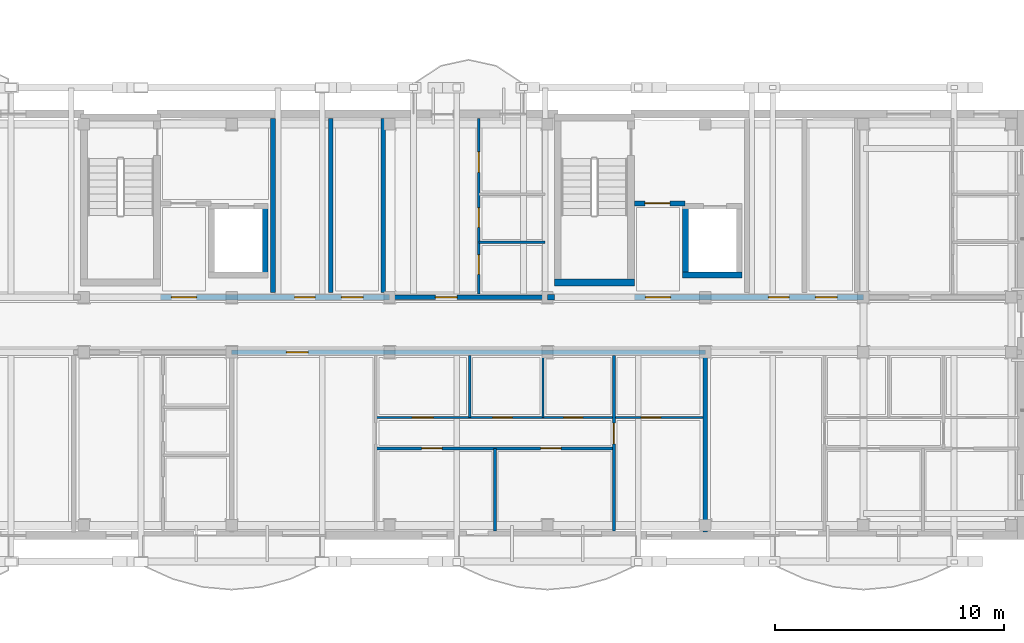
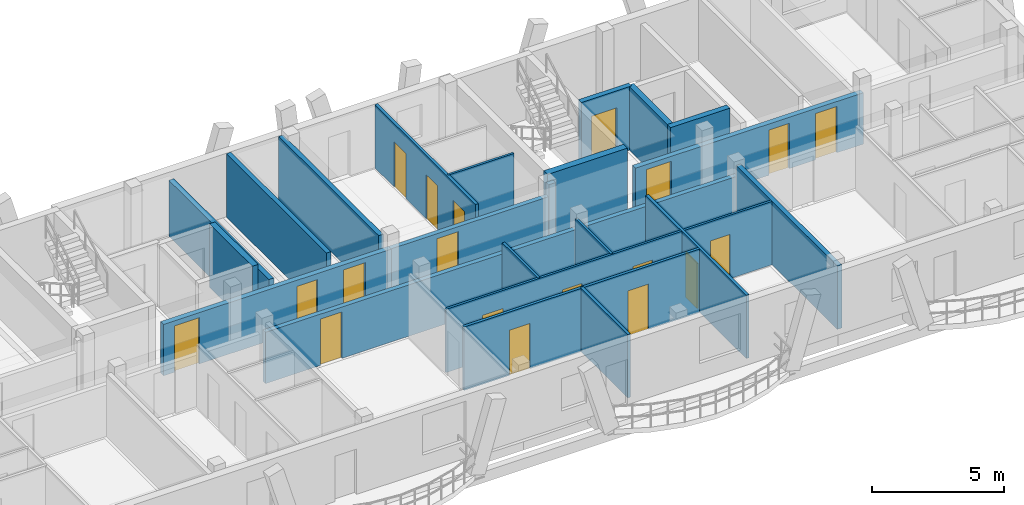
# One storey, part 79 of 109: 22 walls, 19 doors, 19 openings.
"""IFC4 building model written with IfcOpenShell, lengths in metres."""

from ifc_helpers import new_model, si_unit, direction, frame, frame_2d, origin, origin_with_axes, place, context, subcontext, project, spatial, rectangle, extrude, material, layer, layer_set, type_object, element, fill, save


model = new_model("IFC4")

# Units and contexts
model_context = context("Model", 3, precision=1e-05, world=origin(), true_north=direction((0.0, 1.0)))
body_context = subcontext(model_context, "Body", "Model", "MODEL_VIEW")
ifc_project = project(units=[si_unit("LENGTHUNIT", "METRE"), si_unit("AREAUNIT", "SQUARE_METRE"), si_unit("VOLUMEUNIT", "CUBIC_METRE"), si_unit("PLANEANGLEUNIT", "RADIAN"), si_unit("MASSUNIT", "GRAM", prefix="KILO")], contexts=[model_context])

# Site, building, storey
site_placement = place(None, origin())
site = spatial("IfcSite", under=ifc_project, at=site_placement, CompositionType="ELEMENT")
building_placement = place(site_placement, origin())
building = spatial("IfcBuilding", under=site, at=building_placement, Name="Zavelmont Quarter", CompositionType="ELEMENT")
storey_placement = place(building_placement, frame((0.0, 0.0, 8.0)))
storey = spatial("IfcBuildingStorey", under=building, at=storey_placement, Name="L02", CompositionType="ELEMENT", Elevation=8.0)

# Walls
ifc_material_1 = material(Name="Calcium-silicate blockwork and acoustic plaster", Category="masonry")
ifc_layer_1 = layer(ifc_material_1, 0.199951171875)
ifc_layer_set_1 = layer_set([ifc_layer_1], Name="Calcium-silicate blockwork and acoustic plaster")
wall_type_1 = type_object("IfcWallType", Name="IW01", PredefinedType="PARTITIONING", material=ifc_layer_set_1)
for number, where, z_axis, x_axis, name in (
    (1, (137.824951171875, 10.60009765625, 0.0), (0.0, 0.0, 1.0), (0.0, 1.0, 0.0), "L02 Service riser divider wall IW01"),
    (2, (140.1201171875, 10.60009765625, 0.0), (0.0, 0.0, 1.0), (0.0, 1.0, 0.0), "L02 Core service end wall IW01"),
):
    element("IfcWall", number, at=place(storey_placement, frame(where, z_axis=z_axis, x_axis=x_axis)), inside=storey, type_object=wall_type_1, Name=name, PredefinedType="PARTITIONING", context=body_context, shape_type="SweptSolid", body=[
        extrude(rectangle(XDim=7.599853515625, YDim=0.199951171875, at=frame_2d((3.7998046875, 0.0))), origin(), (0.0, 0.0, 1.0), 2.93994140625),
    ])
wall_1_placement = place(storey_placement, frame((154.199951171875, 7.85009765625, 0.0), z_axis=(0.0, 0.0, 1.0), x_axis=(0.0, -1.0, 0.0)))
element("IfcWall", 3, at=wall_1_placement, inside=storey, type_object=wall_type_1, Name="L02 Inter-dwelling compartment wall IW01", PredefinedType="PARTITIONING", context=body_context, shape_type="SweptSolid", body=[
    extrude(rectangle(XDim=7.7001953125, YDim=0.199951171875, at=frame_2d((3.85009765625, 0.0))), origin(), (0.0, 0.0, 1.0), 2.93994140625),
])

# Wall, opening, door
wall_2_placement = place(storey_placement, frame((133.5, 8.0, 0.0), z_axis=(0.0, 0.0, 1.0), x_axis=(1.0, 0.0, 0.0)))
wall_2 = element("IfcWall", 4, at=wall_2_placement, inside=storey, type_object=wall_type_1, Name="L02 Corridor compartment wall IW01", PredefinedType="PARTITIONING", context=body_context, shape_type="SweptSolid", body=[
    extrude(rectangle(XDim=20.699951171875, YDim=0.199951171875, at=frame_2d((10.35009765625, 0.0))), origin(), (0.0, 0.0, 1.0), 2.3798828125),
])
opening_1_placement = place(wall_2_placement, frame((2.39990234375, 0.0, 0.0)))
opening_1 = element("IfcOpeningElement", 5, at=opening_1_placement, cuts=wall_2, Name="Opening DR02", PredefinedType="OPENING", context=body_context, shape_type="SweptSolid", body=[
    extrude(rectangle(XDim=0.949951171875, YDim=2.14990234375, at=frame_2d((0.47509765625, 1.074951171875))), frame((0.0, 0.11181640625, 0.0), z_axis=(0.0, -1.0, 0.0), x_axis=(1.0, 0.0, 0.0)), (0.0, 0.0, 1.0), 0.223876953125),
])
ifc_material_2 = material(Name="Solid-core oak fire leaf in steel frame", Category="steel")
door_type_1 = type_object("IfcDoorType", Name="DR02", OperationType="NOTDEFINED", PredefinedType="DOOR", material=ifc_material_2)
door_1_placement = place(opening_1_placement, frame((0.949951171875, 0.0, 0.0), z_axis=(0.0, 0.0, 1.0), x_axis=(-1.0, 0.0, 0.0)))
door_1 = element("IfcDoor", 6, at=door_1_placement, inside=storey, type_object=door_type_1, Name="L02 door DR02", OperationType="SINGLE_SWING_RIGHT", OverallHeight=2.14990234375, OverallWidth=0.949951171875, PredefinedType="DOOR", context=body_context, shape_type="SweptSolid", body=[
    extrude(rectangle(XDim=0.949951171875, YDim=2.14990234375, at=frame_2d((0.47509765625, 1.074951171875))), frame((0.0, 0.02490234375, 0.0), z_axis=(0.0, -1.0, 0.0), x_axis=(1.0, 0.0, 0.0)), (0.0, 0.0, 1.0), 0.050048828125),
])
fill(opening_1, door_1)

wall_3_placement = place(storey_placement, frame((140.39990234375, 10.39990234375, 0.0), z_axis=(0.0, 0.0, 1.0), x_axis=(1.0, 0.0, 0.0)))
wall_3 = element("IfcWall", 7, at=wall_3_placement, inside=storey, type_object=wall_type_1, Name="L02 Corridor compartment wall IW01", PredefinedType="PARTITIONING", context=body_context, shape_type="SweptSolid", body=[
    extrude(rectangle(XDim=6.900146484375, YDim=0.199951171875, at=frame_2d((3.4501953125, 0.0))), origin(), (0.0, 0.0, 1.0), 2.3798828125),
])
opening_2_placement = place(wall_3_placement, frame((2.0, 0.0, 0.0)))
opening_2 = element("IfcOpeningElement", 8, at=opening_2_placement, cuts=wall_3, Name="Opening DR02", PredefinedType="OPENING", context=body_context, shape_type="SweptSolid", body=[
    extrude(rectangle(XDim=0.949951171875, YDim=2.14990234375, at=frame_2d((0.47509765625, 1.074951171875))), frame((0.0, 0.11181640625, 0.0), z_axis=(0.0, -1.0, 0.0), x_axis=(1.0, 0.0, 0.0)), (0.0, 0.0, 1.0), 0.223876953125),
])
door_2_placement = place(opening_2_placement, origin_with_axes())
door_2 = element("IfcDoor", 9, at=door_2_placement, inside=storey, type_object=door_type_1, Name="L02 door DR02", OperationType="SINGLE_SWING_RIGHT", OverallHeight=2.14990234375, OverallWidth=0.949951171875, PredefinedType="DOOR", context=body_context, shape_type="SweptSolid", body=[
    extrude(rectangle(XDim=0.949951171875, YDim=2.14990234375, at=frame_2d((0.47509765625, 1.074951171875))), frame((0.0, 0.02490234375, 0.0), z_axis=(0.0, -1.0, 0.0), x_axis=(1.0, 0.0, 0.0)), (0.0, 0.0, 1.0), 0.050048828125),
])
fill(opening_2, door_2)

# Wall
ifc_material_3 = material(Name="Reinforced masonry fire compartment wall", Category="masonry")
ifc_layer_2 = layer(ifc_material_3, 0.22509765625)
ifc_layer_set_2 = layer_set([ifc_layer_2], Name="Reinforced masonry fire compartment wall")
wall_type_2 = type_object("IfcWallType", Name="IW02", PredefinedType="PARTITIONING", material=ifc_layer_set_2)
wall_4_placement = place(storey_placement, frame((135.31005859375, 10.60009765625, 0.0), z_axis=(0.0, 0.0, 1.0), x_axis=(0.0, 1.0, 0.0)))
element("IfcWall", 10, at=wall_4_placement, inside=storey, type_object=wall_type_2, Name="L02 Firefighting lobby enclosure wall IW02", PredefinedType="PARTITIONING", context=body_context, shape_type="SweptSolid", body=[
    extrude(rectangle(XDim=7.599853515625, YDim=0.22509765625, at=frame_2d((3.7998046875, 0.0))), origin(), (0.0, 0.0, 1.0), 2.590087890625),
])

# Wall, openings, doors
wall_5_placement = place(storey_placement, frame((130.39990234375, 10.39990234375, 0.0), z_axis=(0.0, 0.0, 1.0), x_axis=(1.0, 0.0, 0.0)))
wall_5 = element("IfcWall", 11, at=wall_5_placement, inside=storey, type_object=wall_type_2, Name="L02 Core corridor fire wall IW02", PredefinedType="PARTITIONING", context=body_context, shape_type="SweptSolid", body=[
    extrude(rectangle(XDim=10.0, YDim=0.22509765625, at=frame_2d((5.0, 0.0))), origin(), (0.0, 0.0, 1.0), 2.3798828125),
])
opening_3_placement = place(wall_5_placement, frame((0.47509765625, 0.0, 0.0)))
opening_3 = element("IfcOpeningElement", 12, at=opening_3_placement, cuts=wall_5, Name="Opening DR10", PredefinedType="OPENING", context=body_context, shape_type="SweptSolid", body=[
    extrude(rectangle(XDim=1.10009765625, YDim=2.14990234375, at=frame_2d((0.550048828125, 1.074951171875))), frame((0.0, 0.12451171875, 0.0), z_axis=(0.0, -1.0, 0.0), x_axis=(1.0, 0.0, 0.0)), (0.0, 0.0, 1.0), 0.2490234375),
])
opening_4_placement = place(wall_5_placement, frame((5.85009765625, 0.0, 0.0)))
opening_4 = element("IfcOpeningElement", 13, at=opening_4_placement, cuts=wall_5, Name="Opening DR11", PredefinedType="OPENING", context=body_context, shape_type="SweptSolid", body=[
    extrude(rectangle(XDim=0.89990234375, YDim=2.10009765625, at=frame_2d((0.449951171875, 1.050048828125))), frame((0.0, 0.12451171875, 0.0), z_axis=(0.0, -1.0, 0.0), x_axis=(1.0, 0.0, 0.0)), (0.0, 0.0, 1.0), 0.2490234375),
])
opening_5_placement = place(wall_5_placement, frame((7.89990234375, 0.0, 0.0)))
opening_5 = element("IfcOpeningElement", 14, at=opening_5_placement, cuts=wall_5, Name="Opening DR02", PredefinedType="OPENING", context=body_context, shape_type="SweptSolid", body=[
    extrude(rectangle(XDim=0.949951171875, YDim=2.14990234375, at=frame_2d((0.47509765625, 1.074951171875))), frame((0.0, 0.12451171875, 0.0), z_axis=(0.0, -1.0, 0.0), x_axis=(1.0, 0.0, 0.0)), (0.0, 0.0, 1.0), 0.2490234375),
])
door_3_placement = place(opening_5_placement, frame((0.949951171875, 0.0, 0.0), z_axis=(0.0, 0.0, 1.0), x_axis=(-1.0, 0.0, 0.0)))
door_3 = element("IfcDoor", 15, at=door_3_placement, inside=storey, type_object=door_type_1, Name="Auxiliary store corridor door", OperationType="SINGLE_SWING_RIGHT", OverallHeight=2.14990234375, OverallWidth=0.949951171875, PredefinedType="DOOR", context=body_context, shape_type="SweptSolid", body=[
    extrude(rectangle(XDim=0.949951171875, YDim=2.14990234375, at=frame_2d((0.47509765625, 1.074951171875))), frame((0.0, 0.02490234375, 0.0), z_axis=(0.0, -1.0, 0.0), x_axis=(1.0, 0.0, 0.0)), (0.0, 0.0, 1.0), 0.050048828125),
])
fill(opening_5, door_3)
ifc_material_4 = material(Name="Painted steel lobby fire door", Category="steel")
door_type_2 = type_object("IfcDoorType", Name="DR10", OperationType="NOTDEFINED", PredefinedType="DOOR", material=ifc_material_4)
door_4_placement = place(opening_3_placement, origin_with_axes())
door_4 = element("IfcDoor", 16, at=door_4_placement, inside=storey, type_object=door_type_2, Name="Core vestibule fire door", OperationType="SINGLE_SWING_LEFT", OverallHeight=2.14990234375, OverallWidth=1.10009765625, PredefinedType="DOOR", context=body_context, shape_type="SweptSolid", body=[
    extrude(rectangle(XDim=1.10009765625, YDim=2.14990234375, at=frame_2d((0.550048828125, 1.074951171875))), frame((0.0, 0.02490234375, 0.0), z_axis=(0.0, -1.0, 0.0), x_axis=(1.0, 0.0, 0.0)), (0.0, 0.0, 1.0), 0.050048828125),
])
fill(opening_3, door_4)
ifc_material_5 = material(Name="Painted steel service-riser fire door", Category="steel")
door_type_3 = type_object("IfcDoorType", Name="DR11", OperationType="NOTDEFINED", PredefinedType="DOOR", material=ifc_material_5)
door_5_placement = place(opening_4_placement, frame((0.89990234375, 0.0, 0.0), z_axis=(0.0, 0.0, 1.0), x_axis=(-1.0, 0.0, 0.0)))
door_5 = element("IfcDoor", 17, at=door_5_placement, inside=storey, type_object=door_type_3, Name="Service riser fire door", OperationType="SINGLE_SWING_LEFT", OverallHeight=2.10009765625, OverallWidth=0.89990234375, PredefinedType="DOOR", context=body_context, shape_type="SweptSolid", body=[
    extrude(rectangle(XDim=0.89990234375, YDim=2.10009765625, at=frame_2d((0.449951171875, 1.050048828125))), frame((0.0, 0.02490234375, 0.0), z_axis=(0.0, -1.0, 0.0), x_axis=(1.0, 0.0, 0.0)), (0.0, 0.0, 1.0), 0.050048828125),
])
fill(opening_4, door_5)

# Wall, opening, door
wall_6_placement = place(storey_placement, frame((151.10009765625, 14.5, 0.0), z_axis=(0.0, 0.0, 1.0), x_axis=(1.0, 0.0, 0.0)))
wall_6 = element("IfcWall", 18, at=wall_6_placement, inside=storey, type_object=wall_type_2, Name="L02 Firefighting lobby threshold wall IW02", PredefinedType="PARTITIONING", context=body_context, shape_type="SweptSolid", body=[
    extrude(rectangle(XDim=2.199951171875, YDim=0.22509765625, at=frame_2d((1.10009765625, 0.0))), origin(), (0.0, 0.0, 1.0), 2.93994140625),
])
opening_6_placement = place(wall_6_placement, frame((0.449951171875, 0.0, 0.0)))
opening_6 = element("IfcOpeningElement", 19, at=opening_6_placement, cuts=wall_6, Name="Opening DR10", PredefinedType="OPENING", context=body_context, shape_type="SweptSolid", body=[
    extrude(rectangle(XDim=1.10009765625, YDim=2.14990234375, at=frame_2d((0.550048828125, 1.074951171875))), frame((0.0, 0.12451171875, 0.0), z_axis=(0.0, -1.0, 0.0), x_axis=(1.0, 0.0, 0.0)), (0.0, 0.0, 1.0), 0.2490234375),
])
door_6_placement = place(opening_6_placement, origin_with_axes())
door_6 = element("IfcDoor", 20, at=door_6_placement, inside=storey, type_object=door_type_2, Name="Firefighting lobby fire door", OperationType="SINGLE_SWING_LEFT", OverallHeight=2.14990234375, OverallWidth=1.10009765625, PredefinedType="DOOR", context=body_context, shape_type="SweptSolid", body=[
    extrude(rectangle(XDim=1.10009765625, YDim=2.14990234375, at=frame_2d((0.550048828125, 1.074951171875))), frame((0.0, 0.02490234375, 0.0), z_axis=(0.0, -1.0, 0.0), x_axis=(1.0, 0.0, 0.0)), (0.0, 0.0, 1.0), 0.050048828125),
])
fill(opening_6, door_6)

# Wall
wall_7_placement = place(storey_placement, frame((147.300048828125, 10.39990234375, 0.0), z_axis=(0.0, 0.0, 1.0), x_axis=(1.0, 0.0, 0.0)))
element("IfcWall", 21, at=wall_7_placement, inside=storey, type_object=wall_type_2, Name="L02 Core corridor wall IW02", PredefinedType="PARTITIONING", context=body_context, shape_type="SweptSolid", body=[
    extrude(rectangle(XDim=0.300048828125, YDim=0.22509765625, at=frame_2d((0.14990234375, 0.0))), origin(), (0.0, 0.0, 1.0), 2.93994140625),
])

# Wall, openings, doors
wall_8_placement = place(storey_placement, frame((151.10009765625, 10.39990234375, 0.0), z_axis=(0.0, 0.0, 1.0), x_axis=(1.0, 0.0, 0.0)))
wall_8 = element("IfcWall", 22, at=wall_8_placement, inside=storey, type_object=wall_type_2, Name="L02 Core corridor fire wall IW02", PredefinedType="PARTITIONING", context=body_context, shape_type="SweptSolid", body=[
    extrude(rectangle(XDim=10.0, YDim=0.22509765625, at=frame_2d((5.0, 0.0))), origin(), (0.0, 0.0, 1.0), 2.3798828125),
])
opening_7_placement = place(wall_8_placement, frame((0.47509765625, 0.0, 0.0)))
opening_7 = element("IfcOpeningElement", 23, at=opening_7_placement, cuts=wall_8, Name="Opening DR10", PredefinedType="OPENING", context=body_context, shape_type="SweptSolid", body=[
    extrude(rectangle(XDim=1.10009765625, YDim=2.14990234375, at=frame_2d((0.550048828125, 1.074951171875))), frame((0.0, 0.12451171875, 0.0), z_axis=(0.0, -1.0, 0.0), x_axis=(1.0, 0.0, 0.0)), (0.0, 0.0, 1.0), 0.2490234375),
])
opening_8_placement = place(wall_8_placement, frame((5.85009765625, 0.0, 0.0)))
opening_8 = element("IfcOpeningElement", 24, at=opening_8_placement, cuts=wall_8, Name="Opening DR11", PredefinedType="OPENING", context=body_context, shape_type="SweptSolid", body=[
    extrude(rectangle(XDim=0.89990234375, YDim=2.10009765625, at=frame_2d((0.449951171875, 1.050048828125))), frame((0.0, 0.12451171875, 0.0), z_axis=(0.0, -1.0, 0.0), x_axis=(1.0, 0.0, 0.0)), (0.0, 0.0, 1.0), 0.2490234375),
])
opening_9_placement = place(wall_8_placement, frame((7.89990234375, 0.0, 0.0)))
opening_9 = element("IfcOpeningElement", 25, at=opening_9_placement, cuts=wall_8, Name="Opening DR02", PredefinedType="OPENING", context=body_context, shape_type="SweptSolid", body=[
    extrude(rectangle(XDim=0.949951171875, YDim=2.14990234375, at=frame_2d((0.47509765625, 1.074951171875))), frame((0.0, 0.12451171875, 0.0), z_axis=(0.0, -1.0, 0.0), x_axis=(1.0, 0.0, 0.0)), (0.0, 0.0, 1.0), 0.2490234375),
])
door_7_placement = place(opening_9_placement, frame((0.949951171875, 0.0, 0.0), z_axis=(0.0, 0.0, 1.0), x_axis=(-1.0, 0.0, 0.0)))
door_7 = element("IfcDoor", 26, at=door_7_placement, inside=storey, type_object=door_type_1, Name="Auxiliary store corridor door", OperationType="SINGLE_SWING_RIGHT", OverallHeight=2.14990234375, OverallWidth=0.949951171875, PredefinedType="DOOR", context=body_context, shape_type="SweptSolid", body=[
    extrude(rectangle(XDim=0.949951171875, YDim=2.14990234375, at=frame_2d((0.47509765625, 1.074951171875))), frame((0.0, 0.02490234375, 0.0), z_axis=(0.0, -1.0, 0.0), x_axis=(1.0, 0.0, 0.0)), (0.0, 0.0, 1.0), 0.050048828125),
])
fill(opening_9, door_7)
door_8_placement = place(opening_7_placement, origin_with_axes())
door_8 = element("IfcDoor", 27, at=door_8_placement, inside=storey, type_object=door_type_2, Name="Core vestibule fire door", OperationType="SINGLE_SWING_RIGHT", OverallHeight=2.14990234375, OverallWidth=1.10009765625, PredefinedType="DOOR", context=body_context, shape_type="SweptSolid", body=[
    extrude(rectangle(XDim=1.10009765625, YDim=2.14990234375, at=frame_2d((0.550048828125, 1.074951171875))), frame((0.0, 0.02490234375, 0.0), z_axis=(0.0, -1.0, 0.0), x_axis=(1.0, 0.0, 0.0)), (0.0, 0.0, 1.0), 0.050048828125),
])
fill(opening_7, door_8)
door_9_placement = place(opening_8_placement, frame((0.89990234375, 0.0, 0.0), z_axis=(0.0, 0.0, 1.0), x_axis=(-1.0, 0.0, 0.0)))
door_9 = element("IfcDoor", 28, at=door_9_placement, inside=storey, type_object=door_type_3, Name="Service riser fire door", OperationType="SINGLE_SWING_LEFT", OverallHeight=2.10009765625, OverallWidth=0.89990234375, PredefinedType="DOOR", context=body_context, shape_type="SweptSolid", body=[
    extrude(rectangle(XDim=0.89990234375, YDim=2.10009765625, at=frame_2d((0.449951171875, 1.050048828125))), frame((0.0, 0.02490234375, 0.0), z_axis=(0.0, -1.0, 0.0), x_axis=(1.0, 0.0, 0.0)), (0.0, 0.0, 1.0), 0.050048828125),
])
fill(opening_8, door_9)

# Wall
ifc_material_6 = material(Name="Double gypsum board on acoustic steel stud", Category="steel")
ifc_layer_3 = layer(ifc_material_6, 0.125)
ifc_layer_set_3 = layer_set([ifc_layer_3], Name="Double gypsum board on acoustic steel stud")
wall_type_3 = type_object("IfcWallType", Name="IW03", PredefinedType="PARTITIONING", material=ifc_layer_set_3)
wall_9_placement = place(storey_placement, frame((145.0, 3.800048828125, 0.0), z_axis=(0.0, 0.0, 1.0), x_axis=(0.0, -1.0, 0.0)))
element("IfcWall", 29, at=wall_9_placement, inside=storey, type_object=wall_type_3, Name="L02 Partition IW03", PredefinedType="PARTITIONING", context=body_context, shape_type="SweptSolid", body=[
    extrude(rectangle(XDim=3.60009765625, YDim=0.125, at=frame_2d((1.800048828125, 0.0))), origin(), (0.0, 0.0, 1.0), 2.93994140625),
])

# Wall, opening, door
wall_10_placement = place(storey_placement, frame((150.199951171875, 7.85009765625, 0.0), z_axis=(0.0, 0.0, 1.0), x_axis=(0.0, -1.0, 0.0)))
wall_10 = element("IfcWall", 30, at=wall_10_placement, inside=storey, type_object=wall_type_3, Name="L02 Partition IW03", PredefinedType="PARTITIONING", context=body_context, shape_type="SweptSolid", body=[
    extrude(rectangle(XDim=7.650146484375, YDim=0.125, at=frame_2d((3.8251953125, 0.0))), origin(), (0.0, 0.0, 1.0), 2.93994140625),
])
opening_10_placement = place(wall_10_placement, frame((2.949951171875, 0.0, 0.0)))
opening_10 = element("IfcOpeningElement", 31, at=opening_10_placement, cuts=wall_10, Name="Opening DR05", PredefinedType="OPENING", context=body_context, shape_type="SweptSolid", body=[
    extrude(rectangle(XDim=0.89990234375, YDim=2.10009765625, at=frame_2d((0.449951171875, 1.050048828125))), frame((0.0, 0.074462890625, 0.0), z_axis=(0.0, -1.0, 0.0), x_axis=(1.0, 0.0, 0.0)), (0.0, 0.0, 1.0), 0.14892578125),
])
ifc_material_7 = material(Name="Engineered oak flush interior door")
door_type_4 = type_object("IfcDoorType", Name="DR05", OperationType="NOTDEFINED", PredefinedType="DOOR", material=ifc_material_7)
door_10_placement = place(opening_10_placement, frame((0.89990234375, 0.0, 0.0), z_axis=(0.0, 0.0, 1.0), x_axis=(-1.0, 0.0, 0.0)))
door_10 = element("IfcDoor", 32, at=door_10_placement, inside=storey, type_object=door_type_4, Name="L02 door DR05", OperationType="SINGLE_SWING_LEFT", OverallHeight=2.10009765625, OverallWidth=0.89990234375, PredefinedType="DOOR", context=body_context, shape_type="SweptSolid", body=[
    extrude(rectangle(XDim=0.89990234375, YDim=2.10009765625, at=frame_2d((0.449951171875, 1.050048828125))), frame((0.0, 0.02490234375, 0.0), z_axis=(0.0, -1.0, 0.0), x_axis=(1.0, 0.0, 0.0)), (0.0, 0.0, 1.0), 0.050048828125),
])
fill(opening_10, door_10)

# Wall, openings, doors
wall_11_placement = place(storey_placement, frame((139.800048828125, 3.800048828125, 0.0), z_axis=(0.0, 0.0, 1.0), x_axis=(1.0, 0.0, 0.0)))
wall_11 = element("IfcWall", 33, at=wall_11_placement, inside=storey, type_object=wall_type_3, Name="L02 Partition IW03", PredefinedType="PARTITIONING", context=body_context, shape_type="SweptSolid", body=[
    extrude(rectangle(XDim=10.39990234375, YDim=0.125, at=frame_2d((5.199951171875, 0.0))), origin(), (0.0, 0.0, 1.0), 2.93994140625),
])
opening_11_placement = place(wall_11_placement, frame((2.0, 0.0, 0.0)))
opening_11 = element("IfcOpeningElement", 34, at=opening_11_placement, cuts=wall_11, Name="Opening DR05", PredefinedType="OPENING", context=body_context, shape_type="SweptSolid", body=[
    extrude(rectangle(XDim=0.89990234375, YDim=2.10009765625, at=frame_2d((0.449951171875, 1.050048828125))), frame((0.0, 0.074462890625, 0.0), z_axis=(0.0, -1.0, 0.0), x_axis=(1.0, 0.0, 0.0)), (0.0, 0.0, 1.0), 0.14892578125),
])
opening_12_placement = place(wall_11_placement, frame((7.199951171875, 0.0, 0.0)))
opening_12 = element("IfcOpeningElement", 35, at=opening_12_placement, cuts=wall_11, Name="Opening DR05", PredefinedType="OPENING", context=body_context, shape_type="SweptSolid", body=[
    extrude(rectangle(XDim=0.89990234375, YDim=2.10009765625, at=frame_2d((0.449951171875, 1.050048828125))), frame((0.0, 0.074462890625, 0.0), z_axis=(0.0, -1.0, 0.0), x_axis=(1.0, 0.0, 0.0)), (0.0, 0.0, 1.0), 0.14892578125),
])
door_11_placement = place(opening_11_placement, origin_with_axes())
door_11 = element("IfcDoor", 36, at=door_11_placement, inside=storey, type_object=door_type_4, Name="L02 door DR05", OperationType="SINGLE_SWING_RIGHT", OverallHeight=2.10009765625, OverallWidth=0.89990234375, PredefinedType="DOOR", context=body_context, shape_type="SweptSolid", body=[
    extrude(rectangle(XDim=0.89990234375, YDim=2.10009765625, at=frame_2d((0.449951171875, 1.050048828125))), frame((0.0, 0.02490234375, 0.0), z_axis=(0.0, -1.0, 0.0), x_axis=(1.0, 0.0, 0.0)), (0.0, 0.0, 1.0), 0.050048828125),
])
fill(opening_11, door_11)
door_12_placement = place(opening_12_placement, frame((0.89990234375, 0.0, 0.0), z_axis=(0.0, 0.0, 1.0), x_axis=(-1.0, 0.0, 0.0)))
door_12 = element("IfcDoor", 37, at=door_12_placement, inside=storey, type_object=door_type_4, Name="L02 door DR05", OperationType="SINGLE_SWING_LEFT", OverallHeight=2.10009765625, OverallWidth=0.89990234375, PredefinedType="DOOR", context=body_context, shape_type="SweptSolid", body=[
    extrude(rectangle(XDim=0.89990234375, YDim=2.10009765625, at=frame_2d((0.449951171875, 1.050048828125))), frame((0.0, 0.02490234375, 0.0), z_axis=(0.0, -1.0, 0.0), x_axis=(1.0, 0.0, 0.0)), (0.0, 0.0, 1.0), 0.050048828125),
])
fill(opening_12, door_12)

wall_12_placement = place(storey_placement, frame((144.300048828125, 10.550048828125, 0.0), z_axis=(0.0, 0.0, 1.0), x_axis=(0.0, 1.0, 0.0)))
wall_12 = element("IfcWall", 38, at=wall_12_placement, inside=storey, type_object=wall_type_3, Name="L02 Partition IW03", PredefinedType="PARTITIONING", context=body_context, shape_type="SweptSolid", body=[
    extrude(rectangle(XDim=7.64990234375, YDim=0.125, at=frame_2d((3.824951171875, 0.0))), origin(), (0.0, 0.0, 1.0), 2.93994140625),
])
opening_13_placement = place(wall_12_placement, frame((0.85009765625, 0.0, 0.0)))
opening_13 = element("IfcOpeningElement", 39, at=opening_13_placement, cuts=wall_12, Name="Opening DR16", PredefinedType="OPENING", context=body_context, shape_type="SweptSolid", body=[
    extrude(rectangle(XDim=0.85009765625, YDim=2.10009765625, at=frame_2d((0.425048828125, 1.050048828125))), frame((0.0, 0.074462890625, 0.0), z_axis=(0.0, -1.0, 0.0), x_axis=(1.0, 0.0, 0.0)), (0.0, 0.0, 1.0), 0.14892578125),
])
opening_14_placement = place(wall_12_placement, frame((2.89990234375, 0.0, 0.0)))
opening_14 = element("IfcOpeningElement", 40, at=opening_14_placement, cuts=wall_12, Name="Opening DR06", PredefinedType="OPENING", context=body_context, shape_type="SweptSolid", body=[
    extrude(rectangle(XDim=0.85009765625, YDim=2.050048828125, at=frame_2d((0.425048828125, 1.02490234375))), frame((0.0, 0.074462890625, 0.0), z_axis=(0.0, -1.0, 0.0), x_axis=(1.0, 0.0, 0.0)), (0.0, 0.0, 1.0), 0.14892578125),
])
opening_15_placement = place(wall_12_placement, frame((5.300048828125, 0.0, 0.0)))
opening_15 = element("IfcOpeningElement", 41, at=opening_15_placement, cuts=wall_12, Name="Opening DR05", PredefinedType="OPENING", context=body_context, shape_type="SweptSolid", body=[
    extrude(rectangle(XDim=0.89990234375, YDim=2.10009765625, at=frame_2d((0.449951171875, 1.050048828125))), frame((0.0, 0.074462890625, 0.0), z_axis=(0.0, -1.0, 0.0), x_axis=(1.0, 0.0, 0.0)), (0.0, 0.0, 1.0), 0.14892578125),
])
door_13_placement = place(opening_15_placement, origin_with_axes())
door_13 = element("IfcDoor", 42, at=door_13_placement, inside=storey, type_object=door_type_4, Name="L02 door DR05", OperationType="SINGLE_SWING_RIGHT", OverallHeight=2.10009765625, OverallWidth=0.89990234375, PredefinedType="DOOR", context=body_context, shape_type="SweptSolid", body=[
    extrude(rectangle(XDim=0.89990234375, YDim=2.10009765625, at=frame_2d((0.449951171875, 1.050048828125))), frame((0.0, 0.02490234375, 0.0), z_axis=(0.0, -1.0, 0.0), x_axis=(1.0, 0.0, 0.0)), (0.0, 0.0, 1.0), 0.050048828125),
])
fill(opening_15, door_13)
ifc_material_8 = material(Name="Moisture-resistant painted wet-room door")
door_type_5 = type_object("IfcDoorType", Name="DR06", OperationType="NOTDEFINED", PredefinedType="DOOR", material=ifc_material_8)
door_14_placement = place(opening_14_placement, frame((0.85009765625, 0.0, 0.0), z_axis=(0.0, 0.0, 1.0), x_axis=(-1.0, 0.0, 0.0)))
door_14 = element("IfcDoor", 43, at=door_14_placement, inside=storey, type_object=door_type_5, Name="L02 door DR06", OperationType="SINGLE_SWING_LEFT", OverallHeight=2.050048828125, OverallWidth=0.85009765625, PredefinedType="DOOR", context=body_context, shape_type="SweptSolid", body=[
    extrude(rectangle(XDim=0.85009765625, YDim=2.050048828125, at=frame_2d((0.425048828125, 1.02490234375))), frame((0.0, 0.02490234375, 0.0), z_axis=(0.0, -1.0, 0.0), x_axis=(1.0, 0.0, 0.0)), (0.0, 0.0, 1.0), 0.050048828125),
])
fill(opening_14, door_14)
door_type_6 = type_object("IfcDoorType", Name="DR16", OperationType="NOTDEFINED", PredefinedType="DOOR", material=ifc_material_7)
door_15_placement = place(opening_13_placement, origin_with_axes())
door_15 = element("IfcDoor", 44, at=door_15_placement, inside=storey, type_object=door_type_6, Name="L02 door DR16", OperationType="SINGLE_SWING_RIGHT", OverallHeight=2.10009765625, OverallWidth=0.85009765625, PredefinedType="DOOR", context=body_context, shape_type="SweptSolid", body=[
    extrude(rectangle(XDim=0.85009765625, YDim=2.10009765625, at=frame_2d((0.425048828125, 1.050048828125))), frame((0.0, 0.02490234375, 0.0), z_axis=(0.0, -1.0, 0.0), x_axis=(1.0, 0.0, 0.0)), (0.0, 0.0, 1.0), 0.050048828125),
])
fill(opening_13, door_15)

# Walls
ifc_material_9 = material(Name="Moisture-resistant gypsum board on steel stud", Category="steel")
ifc_layer_4 = layer(ifc_material_9, 0.10009765625)
ifc_layer_set_4 = layer_set([ifc_layer_4], Name="Moisture-resistant gypsum board on steel stud")
wall_type_4 = type_object("IfcWallType", Name="IW04", PredefinedType="PARTITIONING", material=ifc_layer_set_4)
for number, where, z_axis, x_axis, name in (
    (45, (143.89990234375, 7.85009765625, 0.0), (0.0, 0.0, 1.0), (0.0, -1.0, 0.0), "L02 Partition IW04"),
    (46, (147.10009765625, 7.85009765625, 0.0), (0.0, 0.0, 1.0), (0.0, -1.0, 0.0), "L02 Partition IW04"),
):
    element("IfcWall", number, at=place(storey_placement, frame(where, z_axis=z_axis, x_axis=x_axis)), inside=storey, type_object=wall_type_4, Name=name, PredefinedType="PARTITIONING", context=body_context, shape_type="SweptSolid", body=[
        extrude(rectangle(XDim=2.7001953125, YDim=0.10009765625, at=frame_2d((1.35009765625, 0.0))), origin(), (0.0, 0.0, 1.0), 2.93994140625),
    ])

# Wall, openings, doors
wall_13_placement = place(storey_placement, frame((139.800048828125, 5.14990234375, 0.0), z_axis=(0.0, 0.0, 1.0), x_axis=(1.0, 0.0, 0.0)))
wall_13 = element("IfcWall", 47, at=wall_13_placement, inside=storey, type_object=wall_type_4, Name="L02 Partition IW04", PredefinedType="PARTITIONING", context=body_context, shape_type="SweptSolid", body=[
    extrude(rectangle(XDim=14.300048828125, YDim=0.10009765625, at=frame_2d((7.14990234375, 0.0))), origin(), (0.0, 0.0, 1.0), 2.93994140625),
])
opening_16_placement = place(wall_13_placement, frame((1.60009765625, 0.0, 0.0)))
opening_16 = element("IfcOpeningElement", 48, at=opening_16_placement, cuts=wall_13, Name="Opening DR05", PredefinedType="OPENING", context=body_context, shape_type="SweptSolid", body=[
    extrude(rectangle(XDim=0.89990234375, YDim=2.10009765625, at=frame_2d((0.449951171875, 1.050048828125))), frame((0.0, 0.06201171875, 0.0), z_axis=(0.0, -1.0, 0.0), x_axis=(1.0, 0.0, 0.0)), (0.0, 0.0, 1.0), 0.1240234375),
])
opening_17_placement = place(wall_13_placement, frame((5.10009765625, 0.0, 0.0)))
opening_17 = element("IfcOpeningElement", 49, at=opening_17_placement, cuts=wall_13, Name="Opening DR06", PredefinedType="OPENING", context=body_context, shape_type="SweptSolid", body=[
    extrude(rectangle(XDim=0.85009765625, YDim=2.050048828125, at=frame_2d((0.425048828125, 1.02490234375))), frame((0.0, 0.06201171875, 0.0), z_axis=(0.0, -1.0, 0.0), x_axis=(1.0, 0.0, 0.0)), (0.0, 0.0, 1.0), 0.1240234375),
])
opening_18_placement = place(wall_13_placement, frame((8.199951171875, 0.0, 0.0)))
opening_18 = element("IfcOpeningElement", 50, at=opening_18_placement, cuts=wall_13, Name="Opening DR06", PredefinedType="OPENING", context=body_context, shape_type="SweptSolid", body=[
    extrude(rectangle(XDim=0.85009765625, YDim=2.050048828125, at=frame_2d((0.425048828125, 1.02490234375))), frame((0.0, 0.06201171875, 0.0), z_axis=(0.0, -1.0, 0.0), x_axis=(1.0, 0.0, 0.0)), (0.0, 0.0, 1.0), 0.1240234375),
])
opening_19_placement = place(wall_13_placement, frame((11.60009765625, 0.0, 0.0)))
opening_19 = element("IfcOpeningElement", 51, at=opening_19_placement, cuts=wall_13, Name="Opening DR06", PredefinedType="OPENING", context=body_context, shape_type="SweptSolid", body=[
    extrude(rectangle(XDim=0.85009765625, YDim=2.050048828125, at=frame_2d((0.425048828125, 1.02490234375))), frame((0.0, 0.06201171875, 0.0), z_axis=(0.0, -1.0, 0.0), x_axis=(1.0, 0.0, 0.0)), (0.0, 0.0, 1.0), 0.1240234375),
])
door_16_placement = place(opening_16_placement, origin_with_axes())
door_16 = element("IfcDoor", 52, at=door_16_placement, inside=storey, type_object=door_type_4, Name="L02 door DR05", OperationType="SINGLE_SWING_RIGHT", OverallHeight=2.10009765625, OverallWidth=0.89990234375, PredefinedType="DOOR", context=body_context, shape_type="SweptSolid", body=[
    extrude(rectangle(XDim=0.89990234375, YDim=2.10009765625, at=frame_2d((0.449951171875, 1.050048828125))), frame((0.0, 0.02490234375, 0.0), z_axis=(0.0, -1.0, 0.0), x_axis=(1.0, 0.0, 0.0)), (0.0, 0.0, 1.0), 0.050048828125),
])
fill(opening_16, door_16)
door_17_placement = place(opening_17_placement, frame((0.85009765625, 0.0, 0.0), z_axis=(0.0, 0.0, 1.0), x_axis=(-1.0, 0.0, 0.0)))
door_17 = element("IfcDoor", 53, at=door_17_placement, inside=storey, type_object=door_type_5, Name="L02 door DR06", OperationType="SINGLE_SWING_LEFT", OverallHeight=2.050048828125, OverallWidth=0.85009765625, PredefinedType="DOOR", context=body_context, shape_type="SweptSolid", body=[
    extrude(rectangle(XDim=0.85009765625, YDim=2.050048828125, at=frame_2d((0.425048828125, 1.02490234375))), frame((0.0, 0.02490234375, 0.0), z_axis=(0.0, -1.0, 0.0), x_axis=(1.0, 0.0, 0.0)), (0.0, 0.0, 1.0), 0.050048828125),
])
fill(opening_17, door_17)
door_18_placement = place(opening_18_placement, origin_with_axes())
door_18 = element("IfcDoor", 54, at=door_18_placement, inside=storey, type_object=door_type_5, Name="L02 door DR06", OperationType="SINGLE_SWING_RIGHT", OverallHeight=2.050048828125, OverallWidth=0.85009765625, PredefinedType="DOOR", context=body_context, shape_type="SweptSolid", body=[
    extrude(rectangle(XDim=0.85009765625, YDim=2.050048828125, at=frame_2d((0.425048828125, 1.02490234375))), frame((0.0, 0.02490234375, 0.0), z_axis=(0.0, -1.0, 0.0), x_axis=(1.0, 0.0, 0.0)), (0.0, 0.0, 1.0), 0.050048828125),
])
fill(opening_18, door_18)
door_19_placement = place(opening_19_placement, frame((0.85009765625, 0.0, 0.0), z_axis=(0.0, 0.0, 1.0), x_axis=(-1.0, 0.0, 0.0)))
door_19 = element("IfcDoor", 55, at=door_19_placement, inside=storey, type_object=door_type_5, Name="L02 door DR06", OperationType="SINGLE_SWING_LEFT", OverallHeight=2.050048828125, OverallWidth=0.85009765625, PredefinedType="DOOR", context=body_context, shape_type="SweptSolid", body=[
    extrude(rectangle(XDim=0.85009765625, YDim=2.050048828125, at=frame_2d((0.425048828125, 1.02490234375))), frame((0.0, 0.02490234375, 0.0), z_axis=(0.0, -1.0, 0.0), x_axis=(1.0, 0.0, 0.0)), (0.0, 0.0, 1.0), 0.050048828125),
])
fill(opening_19, door_19)

# Walls
wall_14_placement = place(storey_placement, frame((144.300048828125, 12.800048828125, 0.0), z_axis=(0.0, 0.0, 1.0), x_axis=(1.0, 0.0, 0.0)))
element("IfcWall", 56, at=wall_14_placement, inside=storey, type_object=wall_type_4, Name="L02 Partition IW04", PredefinedType="PARTITIONING", context=body_context, shape_type="SweptSolid", body=[
    extrude(rectangle(XDim=2.89990234375, YDim=0.10009765625, at=frame_2d((1.449951171875, 0.0))), origin(), (0.0, 0.0, 1.0), 2.93994140625),
])
ifc_material_10 = material(Name="Concrete C40/50", Category="concrete")
ifc_layer_5 = layer(ifc_material_10, 0.300048828125)
ifc_layer_set_5 = layer_set([ifc_layer_5], Name="Concrete C40/50")
wall_type_5 = type_object("IfcWallType", Name="SW01", PredefinedType="SHEAR", material=ifc_layer_set_5)
wall_15_placement = place(storey_placement, frame((147.60009765625, 11.050048828125, 0.0), z_axis=(0.0, 0.0, 1.0), x_axis=(1.0, 0.0, 0.0)))
element("IfcWall", 57, at=wall_15_placement, inside=storey, type_object=wall_type_5, Name="L02 ST08 corridor shear wall SW01", PredefinedType="SHEAR", context=body_context, shape_type="SweptSolid", body=[
    extrude(rectangle(XDim=3.5, YDim=0.300048828125, at=frame_2d((1.75, 0.0))), origin(), (0.0, 0.0, 1.0), 2.93994140625),
])
ifc_layer_6 = layer(ifc_material_10, 0.25)
ifc_layer_set_6 = layer_set([ifc_layer_6], Name="Concrete C40/50")
wall_type_6 = type_object("IfcWallType", Name="SW02", PredefinedType="SHEAR", material=ifc_layer_set_6)
wall_16_placement = place(storey_placement, frame((134.97509765625, 11.25, 0.0), z_axis=(0.0, 0.0, 1.0), x_axis=(0.0, 1.0, 0.0)))
element("IfcWall", 58, at=wall_16_placement, inside=storey, type_object=wall_type_6, Name="L02 Lift FL04 east shaft wall SW02", PredefinedType="SHEAR", context=body_context, shape_type="SweptSolid", body=[
    extrude(rectangle(XDim=3.25, YDim=0.25, at=frame_2d((1.625, 0.0))), origin(), (0.0, 0.0, 1.0), 2.93994140625),
])
wall_17_placement = place(storey_placement, frame((153.199951171875, 11.375, 0.0), z_axis=(0.0, 0.0, 1.0), x_axis=(1.0, 0.0, 0.0)))
element("IfcWall", 59, at=wall_17_placement, inside=storey, type_object=wall_type_6, Name="L02 Lift LF08 back shaft wall SW02", PredefinedType="SHEAR", context=body_context, shape_type="SweptSolid", body=[
    extrude(rectangle(XDim=2.60009765625, YDim=0.25, at=frame_2d((1.300048828125, 0.0))), origin(), (0.0, 0.0, 1.0), 2.93994140625),
])
wall_18_placement = place(storey_placement, frame((153.324951171875, 11.25, 0.0), z_axis=(0.0, 0.0, 1.0), x_axis=(0.0, 1.0, 0.0)))
element("IfcWall", 60, at=wall_18_placement, inside=storey, type_object=wall_type_6, Name="L02 Lift LF08 west shaft wall SW02", PredefinedType="SHEAR", context=body_context, shape_type="SweptSolid", body=[
    extrude(rectangle(XDim=3.25, YDim=0.25, at=frame_2d((1.625, 0.0))), origin(), (0.0, 0.0, 1.0), 2.93994140625),
])

save(model, "model.ifc")
